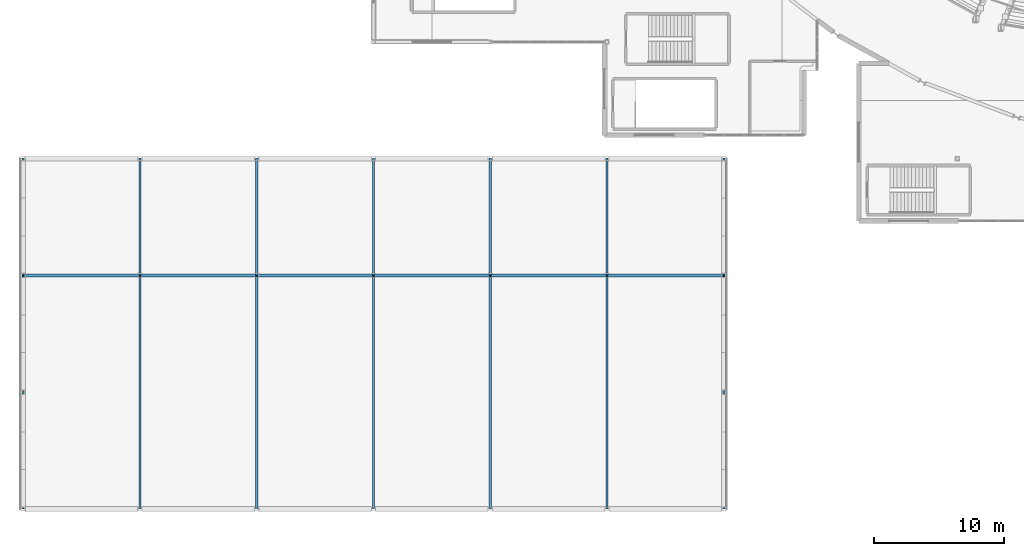
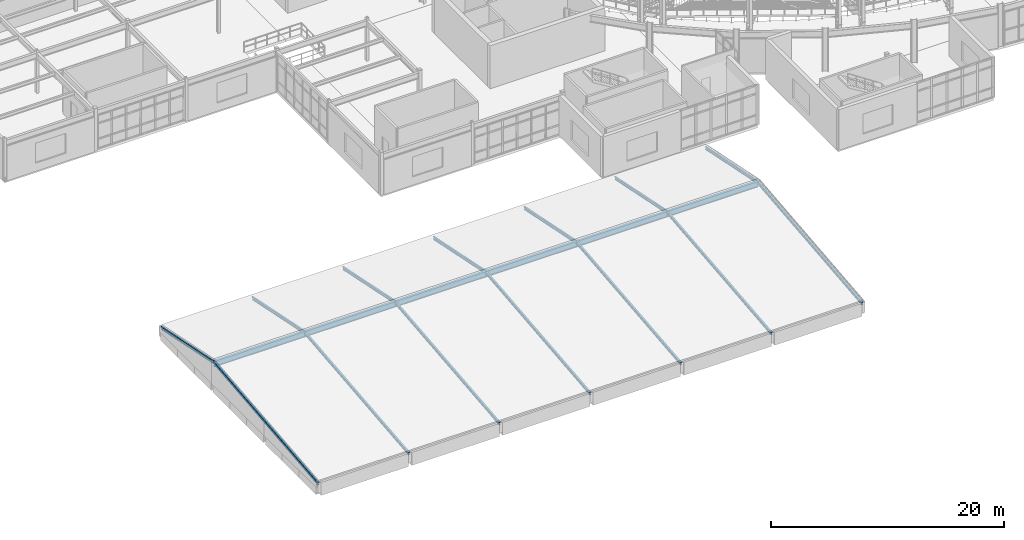
# One storey, part 16 of 81: 20 beams.
"""IFC4 building model written with IfcOpenShell, lengths in metres."""

from ifc_helpers import new_model, si_unit, direction, frame, origin, origin_2d, place, context, subcontext, project, spatial, i_section, extrude, material, material_profile, profile_set, type_object, element, save


model = new_model("IFC4")

# Units and contexts
model_context = context("Model", 3, precision=1e-05, world=origin(), true_north=direction((0.0, 1.0)))
body_context = subcontext(model_context, "Body", "Model", "MODEL_VIEW")
ifc_project = project(units=[si_unit("LENGTHUNIT", "METRE"), si_unit("AREAUNIT", "SQUARE_METRE"), si_unit("VOLUMEUNIT", "CUBIC_METRE"), si_unit("PLANEANGLEUNIT", "RADIAN"), si_unit("MASSUNIT", "GRAM", prefix="KILO")], contexts=[model_context])

# Site, building, storey
site_placement = place(None, origin())
site = spatial("IfcSite", under=ifc_project, at=site_placement, CompositionType="ELEMENT")
building_placement = place(site_placement, origin())
building = spatial("IfcBuilding", under=site, at=building_placement, Name="Glasvene Arena", CompositionType="ELEMENT")
storey_placement = place(building_placement, frame((0.0, 0.0, 15.0)))
storey = spatial("IfcBuildingStorey", under=building, at=storey_placement, Name="L03", CompositionType="ELEMENT", Elevation=15.0)

# Beams
ifc_material = material(Name="Steel S355J2", Category="steel")
ifc_material_profile_1 = material_profile(ifc_material, i_section(OverallWidth=0.228271484375, OverallDepth=0.607666015625, WebThickness=0.010986328125, FlangeThickness=0.017333984375, FilletRadius=0.0126953125, at=origin_2d()), Name="UKB 610x229x113")
ifc_profile_set_1 = profile_set([ifc_material_profile_1], Name="Steel S355J2")
beam_type_1 = type_object("IfcBeamType", Name="BM-GIRD-610", PredefinedType="BEAM", material=ifc_profile_set_1)
for number, where, z_axis, x_axis, name in (
    (1, (0.0, 18.0, 2.580078125), (1.0, 0.0, 0.0), (0.0, 1.0, 0.0), "Wing roof ridge beam V2-0"),
    (2, (9.0, 18.0, 2.580078125), (1.0, 0.0, 0.0), (0.0, 1.0, 0.0), "Wing roof ridge beam V2-9"),
    (3, (18.0, 18.0, 2.580078125), (1.0, 0.0, 0.0), (0.0, 1.0, 0.0), "Wing roof ridge beam V2-18"),
    (4, (27.0, 18.0, 2.580078125), (1.0, 0.0, 0.0), (0.0, 1.0, 0.0), "Wing roof ridge beam V2-27"),
    (5, (36.0, 18.0, 2.580078125), (1.0, 0.0, 0.0), (0.0, 1.0, 0.0), "Wing roof ridge beam V2-36"),
    (6, (45.0, 18.0, 2.580078125), (1.0, 0.0, 0.0), (0.0, 1.0, 0.0), "Wing roof ridge beam V2-45"),
):
    element("IfcBeam", number, at=place(storey_placement, frame(where, z_axis=z_axis, x_axis=x_axis)), inside=storey, type_object=beam_type_1, Name=name, PredefinedType="BEAM", context=body_context, shape_type="SweptSolid", body=[
        extrude(i_section(OverallWidth=0.228271484375, OverallDepth=0.607666015625, WebThickness=0.010986328125, FlangeThickness=0.017333984375, FilletRadius=0.0126953125, at=origin_2d()), origin(), (0.0, 0.0, 1.0), 9.0),
    ])
ifc_material_profile_2 = material_profile(ifc_material, i_section(OverallWidth=0.1650390625, OverallDepth=0.303466796875, WebThickness=0.006103515625, FlangeThickness=0.01025390625, FilletRadius=0.0087890625, at=origin_2d()), Name="UKB 305x165x40")
ifc_profile_set_2 = profile_set([ifc_material_profile_2], Name="Steel S355J2")
beam_type_2 = type_object("IfcBeamType", Name="BM-RAFTER-305", PredefinedType="BEAM", material=ifc_profile_set_2)
beam_1_placement = place(storey_placement, frame((0.0, 0.0, 0.889892578125), z_axis=(0.0, 0.994759293849, 0.10224454656), x_axis=(-1.0, 0.0, 0.0)))
element("IfcBeam", 7, at=beam_1_placement, inside=storey, type_object=beam_type_2, Name="Wing roof rafter V2-S-0", PredefinedType="BEAM", context=body_context, shape_type="SweptSolid", body=[
    extrude(i_section(OverallWidth=0.1650390625, OverallDepth=0.303466796875, WebThickness=0.006103515625, FlangeThickness=0.01025390625, FilletRadius=0.0087890625, at=origin_2d()), origin(), (0.0, 0.0, 1.0), 18.0947265625),
])
beam_2_placement = place(storey_placement, frame((0.0, 18.0, 2.739990234375), z_axis=(0.0, 0.979518122884, -0.201356020378), x_axis=(-1.0, 0.0, 0.0)))
element("IfcBeam", 8, at=beam_2_placement, inside=storey, type_object=beam_type_2, Name="Wing roof rafter V2-N-0", PredefinedType="BEAM", context=body_context, shape_type="SweptSolid", body=[
    extrude(i_section(OverallWidth=0.1650390625, OverallDepth=0.303466796875, WebThickness=0.006103515625, FlangeThickness=0.01025390625, FilletRadius=0.0087890625, at=origin_2d()), origin(), (0.0, 0.0, 1.0), 9.188232421875),
])
beam_3_placement = place(storey_placement, frame((9.0, 0.0, 0.889892578125), z_axis=(0.0, 0.994759293849, 0.10224454656), x_axis=(-1.0, 0.0, 0.0)))
element("IfcBeam", 9, at=beam_3_placement, inside=storey, type_object=beam_type_2, Name="Wing roof rafter V2-S-9", PredefinedType="BEAM", context=body_context, shape_type="SweptSolid", body=[
    extrude(i_section(OverallWidth=0.1650390625, OverallDepth=0.303466796875, WebThickness=0.006103515625, FlangeThickness=0.01025390625, FilletRadius=0.0087890625, at=origin_2d()), origin(), (0.0, 0.0, 1.0), 18.0947265625),
])
beam_4_placement = place(storey_placement, frame((9.0, 18.0, 2.739990234375), z_axis=(0.0, 0.979518122884, -0.201356020378), x_axis=(-1.0, 0.0, 0.0)))
element("IfcBeam", 10, at=beam_4_placement, inside=storey, type_object=beam_type_2, Name="Wing roof rafter V2-N-9", PredefinedType="BEAM", context=body_context, shape_type="SweptSolid", body=[
    extrude(i_section(OverallWidth=0.1650390625, OverallDepth=0.303466796875, WebThickness=0.006103515625, FlangeThickness=0.01025390625, FilletRadius=0.0087890625, at=origin_2d()), origin(), (0.0, 0.0, 1.0), 9.188232421875),
])
beam_5_placement = place(storey_placement, frame((18.0, 0.0, 0.889892578125), z_axis=(0.0, 0.994759293849, 0.10224454656), x_axis=(-1.0, 0.0, 0.0)))
element("IfcBeam", 11, at=beam_5_placement, inside=storey, type_object=beam_type_2, Name="Wing roof rafter V2-S-18", PredefinedType="BEAM", context=body_context, shape_type="SweptSolid", body=[
    extrude(i_section(OverallWidth=0.1650390625, OverallDepth=0.303466796875, WebThickness=0.006103515625, FlangeThickness=0.01025390625, FilletRadius=0.0087890625, at=origin_2d()), origin(), (0.0, 0.0, 1.0), 18.0947265625),
])
beam_6_placement = place(storey_placement, frame((18.0, 18.0, 2.739990234375), z_axis=(0.0, 0.979518122884, -0.201356020378), x_axis=(-1.0, 0.0, 0.0)))
element("IfcBeam", 12, at=beam_6_placement, inside=storey, type_object=beam_type_2, Name="Wing roof rafter V2-N-18", PredefinedType="BEAM", context=body_context, shape_type="SweptSolid", body=[
    extrude(i_section(OverallWidth=0.1650390625, OverallDepth=0.303466796875, WebThickness=0.006103515625, FlangeThickness=0.01025390625, FilletRadius=0.0087890625, at=origin_2d()), origin(), (0.0, 0.0, 1.0), 9.188232421875),
])
beam_7_placement = place(storey_placement, frame((27.0, 0.0, 0.889892578125), z_axis=(0.0, 0.994759293849, 0.10224454656), x_axis=(-1.0, 0.0, 0.0)))
element("IfcBeam", 13, at=beam_7_placement, inside=storey, type_object=beam_type_2, Name="Wing roof rafter V2-S-27", PredefinedType="BEAM", context=body_context, shape_type="SweptSolid", body=[
    extrude(i_section(OverallWidth=0.1650390625, OverallDepth=0.303466796875, WebThickness=0.006103515625, FlangeThickness=0.01025390625, FilletRadius=0.0087890625, at=origin_2d()), origin(), (0.0, 0.0, 1.0), 18.0947265625),
])
beam_8_placement = place(storey_placement, frame((27.0, 18.0, 2.739990234375), z_axis=(0.0, 0.979518122884, -0.201356020378), x_axis=(-1.0, 0.0, 0.0)))
element("IfcBeam", 14, at=beam_8_placement, inside=storey, type_object=beam_type_2, Name="Wing roof rafter V2-N-27", PredefinedType="BEAM", context=body_context, shape_type="SweptSolid", body=[
    extrude(i_section(OverallWidth=0.1650390625, OverallDepth=0.303466796875, WebThickness=0.006103515625, FlangeThickness=0.01025390625, FilletRadius=0.0087890625, at=origin_2d()), origin(), (0.0, 0.0, 1.0), 9.188232421875),
])
beam_9_placement = place(storey_placement, frame((36.0, 0.0, 0.889892578125), z_axis=(0.0, 0.994759293849, 0.10224454656), x_axis=(-1.0, 0.0, 0.0)))
element("IfcBeam", 15, at=beam_9_placement, inside=storey, type_object=beam_type_2, Name="Wing roof rafter V2-S-36", PredefinedType="BEAM", context=body_context, shape_type="SweptSolid", body=[
    extrude(i_section(OverallWidth=0.1650390625, OverallDepth=0.303466796875, WebThickness=0.006103515625, FlangeThickness=0.01025390625, FilletRadius=0.0087890625, at=origin_2d()), origin(), (0.0, 0.0, 1.0), 18.0947265625),
])
beam_10_placement = place(storey_placement, frame((36.0, 18.0, 2.739990234375), z_axis=(0.0, 0.979518122884, -0.201356020378), x_axis=(-1.0, 0.0, 0.0)))
element("IfcBeam", 16, at=beam_10_placement, inside=storey, type_object=beam_type_2, Name="Wing roof rafter V2-N-36", PredefinedType="BEAM", context=body_context, shape_type="SweptSolid", body=[
    extrude(i_section(OverallWidth=0.1650390625, OverallDepth=0.303466796875, WebThickness=0.006103515625, FlangeThickness=0.01025390625, FilletRadius=0.0087890625, at=origin_2d()), origin(), (0.0, 0.0, 1.0), 9.188232421875),
])
beam_11_placement = place(storey_placement, frame((45.0, 0.0, 0.889892578125), z_axis=(0.0, 0.994759293849, 0.10224454656), x_axis=(-1.0, 0.0, 0.0)))
element("IfcBeam", 17, at=beam_11_placement, inside=storey, type_object=beam_type_2, Name="Wing roof rafter V2-S-45", PredefinedType="BEAM", context=body_context, shape_type="SweptSolid", body=[
    extrude(i_section(OverallWidth=0.1650390625, OverallDepth=0.303466796875, WebThickness=0.006103515625, FlangeThickness=0.01025390625, FilletRadius=0.0087890625, at=origin_2d()), origin(), (0.0, 0.0, 1.0), 18.0947265625),
])
beam_12_placement = place(storey_placement, frame((45.0, 18.0, 2.739990234375), z_axis=(0.0, 0.979518122884, -0.201356020378), x_axis=(-1.0, 0.0, 0.0)))
element("IfcBeam", 18, at=beam_12_placement, inside=storey, type_object=beam_type_2, Name="Wing roof rafter V2-N-45", PredefinedType="BEAM", context=body_context, shape_type="SweptSolid", body=[
    extrude(i_section(OverallWidth=0.1650390625, OverallDepth=0.303466796875, WebThickness=0.006103515625, FlangeThickness=0.01025390625, FilletRadius=0.0087890625, at=origin_2d()), origin(), (0.0, 0.0, 1.0), 9.188232421875),
])
beam_13_placement = place(storey_placement, frame((54.0, 0.0, 0.889892578125), z_axis=(0.0, 0.994759293849, 0.10224454656), x_axis=(-1.0, 0.0, 0.0)))
element("IfcBeam", 19, at=beam_13_placement, inside=storey, type_object=beam_type_2, Name="Wing roof rafter V2-S-54", PredefinedType="BEAM", context=body_context, shape_type="SweptSolid", body=[
    extrude(i_section(OverallWidth=0.1650390625, OverallDepth=0.303466796875, WebThickness=0.006103515625, FlangeThickness=0.01025390625, FilletRadius=0.0087890625, at=origin_2d()), origin(), (0.0, 0.0, 1.0), 18.0947265625),
])
beam_14_placement = place(storey_placement, frame((54.0, 18.0, 2.739990234375), z_axis=(0.0, 0.979518122884, -0.201356020378), x_axis=(-1.0, 0.0, 0.0)))
element("IfcBeam", 20, at=beam_14_placement, inside=storey, type_object=beam_type_2, Name="Wing roof rafter V2-N-54", PredefinedType="BEAM", context=body_context, shape_type="SweptSolid", body=[
    extrude(i_section(OverallWidth=0.1650390625, OverallDepth=0.303466796875, WebThickness=0.006103515625, FlangeThickness=0.01025390625, FilletRadius=0.0087890625, at=origin_2d()), origin(), (0.0, 0.0, 1.0), 9.188232421875),
])

save(model, "model.ifc")
